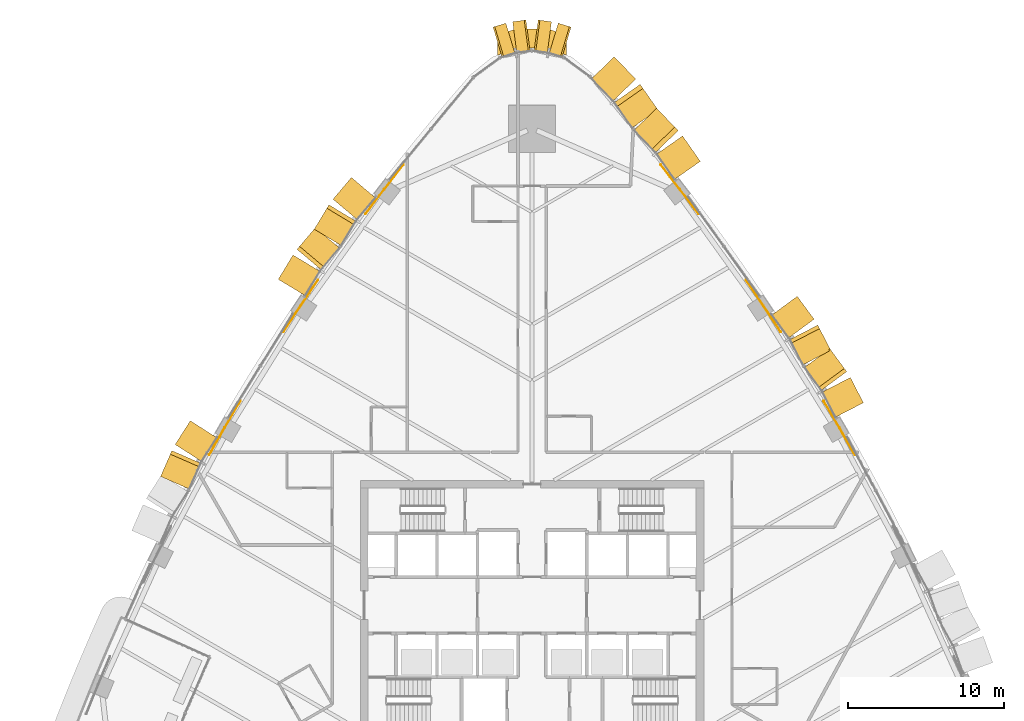
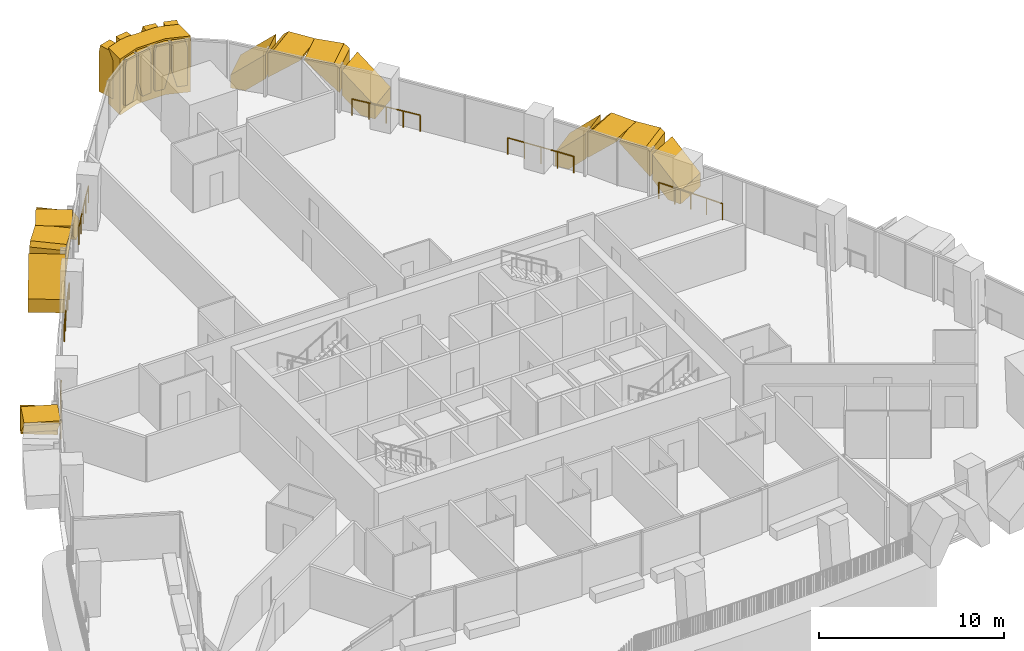
# One storey, part 21 of 22: 19 coverings, 6 railings.
"""IFC4 building model written with IfcOpenShell, lengths in metres."""

from ifc_helpers import new_model, si_unit, direction, frame, origin, origin_2d, place, context, subcontext, project, spatial, polyline, circle, outline, extrude, material, layer, layer_set, type_object, element, save


model = new_model("IFC4")

# Units and contexts
model_context = context("Model", 3, precision=1e-05, world=origin(), true_north=direction((0.0, 1.0)))
body_context = subcontext(model_context, "Body", "Model", "MODEL_VIEW")
ifc_project = project(units=[si_unit("LENGTHUNIT", "METRE"), si_unit("AREAUNIT", "SQUARE_METRE"), si_unit("VOLUMEUNIT", "CUBIC_METRE"), si_unit("PLANEANGLEUNIT", "RADIAN"), si_unit("MASSUNIT", "GRAM", prefix="KILO")], contexts=[model_context])

# Site, building, storey
site_placement = place(None, origin())
site = spatial("IfcSite", under=ifc_project, at=site_placement, CompositionType="ELEMENT")
building_placement = place(site_placement, origin())
building = spatial("IfcBuilding", under=site, at=building_placement, Name="Sierra Prisma Convention Tower", CompositionType="ELEMENT")
storey_placement = place(building_placement, frame((0.0, 0.0, 73.89990234375)))
storey = spatial("IfcBuildingStorey", under=building, at=storey_placement, Name="L14", CompositionType="ELEMENT", Elevation=73.89990234375)

# Coverings
ifc_material_1 = material(Name="Aluminium composite bronze anodised", Category="aluminium")
ifc_layer_1 = layer(ifc_material_1, 1.199951171875)
ifc_layer_set_1 = layer_set([ifc_layer_1], Name="Bronze corner pier")
covering_type_1 = type_object("IfcCoveringType", Name="Bronze corner pier", PredefinedType="CLADDING", material=ifc_layer_set_1)
covering_1_placement = place(storey_placement, frame((0.0, 0.0, -0.599853515625)))
element("IfcCovering", 1, at=covering_1_placement, inside=storey, type_object=covering_type_1, Name="Corner pier N L14.1", PredefinedType="CLADDING", context=body_context, shape_type="SweptSolid", body=[
    extrude(outline(polyline([(-0.883056640625, 36.89501953125), (0.883056640625, 36.89501953125), (1.28271484375, 36.826416015625), (2.199951171875, 36.50244140625), (2.199951171875, 35.22998046875), (0.883056640625, 35.69482421875), (-0.883056640625, 35.69482421875), (-2.199951171875, 35.22998046875), (-2.199951171875, 36.50244140625), (-1.28271484375, 36.826416015625), (-0.883056640625, 36.89501953125)])), origin(), (0.0, 0.0, 1.0), 3.699951171875),
])
ifc_material_2 = material(Name="Aluminium 6063-T6 bronze anodised", Category="aluminium")
ifc_layer_2 = layer(ifc_material_2, 2.0)
ifc_layer_set_2 = layer_set([ifc_layer_2], Name="Bronze crystal chevron frame")
covering_type_2 = type_object("IfcCoveringType", Name="Bronze crystal chevron frame", PredefinedType="CLADDING", material=ifc_layer_set_2)
covering_2_placement = place(storey_placement, frame((21.221923828125, 12.965087890625, 0.0), z_axis=(0.88806997154, 0.459708304928, 5.445309e-06), x_axis=(-0.459708304935, 0.888069971553, -9.3e-11)))
element("IfcCovering", 2, at=covering_2_placement, inside=storey, type_object=covering_type_2, Name="CW-2 chevron frame NE4.1.1", PredefinedType="CLADDING", context=body_context, shape_type="SweptSolid", body=[
    extrude(outline(polyline([(0.0, 0.0), (0.8109816888956303, -2.117582368135751e-22), (1.8221159583297104, 0.9606933595584625), (1.8221159581759854, 2.6159667970339218), (-8.216798985004852e-11, 0.8847656249868827), (0.0, 0.0)])), origin(), (0.0, 0.0, -1.0), 2.0),
])
covering_3_placement = place(storey_placement, frame((20.150146484375, 14.959716796875, 2.739501953125), z_axis=(0.805211270662, 0.592988034912, 7.100641e-06), x_axis=(5.717516e-06, 4.210595e-06, -0.999999999975)))
element("IfcCovering", 3, at=covering_3_placement, inside=storey, type_object=covering_type_2, Name="CW-2 chevron frame NE4.1.2", PredefinedType="CLADDING", context=body_context, shape_type="SweptSolid", body=[
    extrude(outline(polyline([(0.0, 0.0), (1.6552734374582714, -7.01035569138691e-22), (-0.07592773438521061, 1.822237494967303), (-0.24047851563106237, 1.822237494967303), (-0.24047851572281626, 0.25318336242666595), (0.0, 0.0)])), origin(), (0.0, 0.0, -1.0), 2.0),
])
covering_4_placement = place(storey_placement, frame((19.13525390625, 16.321533203125, 2.97998046875), z_axis=(0.887985818148, 0.459870837036, -3.340958e-06), x_axis=(-2.966723e-06, -1.536409e-06, -0.999999999994)))
element("IfcCovering", 4, at=covering_4_placement, inside=storey, type_object=covering_type_2, Name="CW-2 chevron frame NE4.2.1", PredefinedType="CLADDING", context=body_context, shape_type="SweptSolid", body=[
    extrude(outline(polyline([(0.0, 0.0), (0.16455078124908165, 0.0), (1.895751953117104, 1.8220114085982697), (0.24047851562634212, 1.8220114085982697), (-2.031288077491801e-11, 1.568790381306615), (0.0, 0.0)])), origin(), (0.0, 0.0, -1.0), 2.0),
])
covering_5_placement = place(storey_placement, frame((16.982666015625, 19.783203125, 0.0), z_axis=(0.805149156123, 0.593072368486, 4.6174646e-05), x_axis=(-3.7177477e-05, -2.7384907e-05, 0.999999998934)))
element("IfcCovering", 5, at=covering_5_placement, inside=storey, type_object=covering_type_2, Name="CW-2 chevron frame NE4.2.2", PredefinedType="CLADDING", context=body_context, shape_type="SweptSolid", body=[
    extrude(outline(polyline([(0.0, 0.0), (0.8847656240567966, -2.9977025398921723e-21), (2.6159667961345434, 1.8220409155324395), (0.9606933603991462, 1.8220409155324395), (-5.415612067948423e-09, 0.8112108482564269), (0.0, 0.0)])), origin(), (0.0, 0.0, -1.0), 2.0),
])
covering_6_placement = place(storey_placement, frame((10.777587890625, 28.426513671875, 0.0), z_axis=(0.819386796794, 0.573241028908, -3.930446e-06), x_axis=(-0.573241028913, 0.819386796801, -4.4e-11)))
element("IfcCovering", 6, at=covering_6_placement, inside=storey, type_object=covering_type_2, Name="CW-2 chevron frame NE6.1.1", PredefinedType="CLADDING", context=body_context, shape_type="SweptSolid", body=[
    extrude(outline(polyline([(0.0, 0.0), (0.8500731506303207, 2.117582368135751e-22), (1.9846774043067823, 0.9951171875959358), (1.984677404235818, 2.5910644532086082), (-3.7832459292019376e-11, 0.8508300781184279), (0.0, 0.0)])), origin(), (0.0, 0.0, -1.0), 2.0),
])
covering_7_placement = place(storey_placement, frame((9.35791015625, 30.39501953125, 2.705078125), z_axis=(0.719668891888, 0.694317422886, 4.8225521e-05), x_axis=(3.4706407e-05, 3.3483819e-05, -0.999999998837)))
element("IfcCovering", 7, at=covering_7_placement, inside=storey, type_object=covering_type_2, Name="CW-2 chevron frame NE6.1.2", PredefinedType="CLADDING", context=body_context, shape_type="SweptSolid", body=[
    extrude(outline(polyline([(0.0, 0.0), (1.595947263769152, 5.407279664259142e-21), (-0.1442871098465563, 1.9845680082435817), (-0.27490234406967035, 1.9845680082435817), (-0.2749023480851382, 0.3135510739287697), (0.0, 0.0)])), origin(), (0.0, 0.0, -1.0), 2.0),
])
covering_8_placement = place(storey_placement, frame((8.058837890625, 31.727294921875, 2.97998046875), z_axis=(0.819382463638, 0.573247218531, 6.8776272e-05), x_axis=(5.6354071e-05, 3.9425807e-05, -0.999999997635)))
element("IfcCovering", 8, at=covering_8_placement, inside=storey, type_object=covering_type_2, Name="CW-2 chevron frame NE6.2.1", PredefinedType="CLADDING", context=body_context, shape_type="SweptSolid", body=[
    extrude(outline(polyline([(0.0, 0.0), (0.1306152340660835, 8.850832554317396e-22), (1.8708496062506128, 1.9846774042648283), (0.27490234440016814, 1.9846774042648283), (-8.166943745940652e-09, 1.6710251361770974), (0.0, 0.0)])), origin(), (0.0, 0.0, -1.0), 2.0),
])
covering_9_placement = place(storey_placement, frame((5.26123046875, 35.1240234375, 0.0), z_axis=(0.719680318563, 0.694305578937, -4.6143569e-05), x_axis=(3.3208619e-05, 3.2037737e-05, 0.999999998935)))
element("IfcCovering", 9, at=covering_9_placement, inside=storey, type_object=covering_type_2, Name="CW-2 chevron frame NE6.2.2", PredefinedType="CLADDING", context=body_context, shape_type="SweptSolid", body=[
    extrude(outline(polyline([(0.0, 0.0), (0.8508300772191939, 2.8827244347473014e-21), (2.5910644524853472, 1.9845680077566419), (0.9951171885594161, 1.9845680077566419), (-5.209749207881441e-09, 0.8500135415814448), (0.0, 0.0)])), origin(), (0.0, 0.0, -1.0), 2.0),
])
covering_10_placement = place(storey_placement, frame((2.496826171875, 37.026611328125, 0.0), z_axis=(0.286553600091, 0.958064211814, -1.7774395e-05), x_axis=(-0.958064211965, 0.286553600137, -9e-11)))
element("IfcCovering", 10, at=covering_10_placement, inside=storey, type_object=covering_type_2, Name="CW-2 chevron frame N2.1.1", PredefinedType="CLADDING", context=body_context, shape_type="SweptSolid", body=[
    extrude(outline(polyline([(0.0, 0.0), (0.5606185388705114, 0.0), (0.856221220685664, 1.11450195317572), (0.8562212205171698, 2.9799804685060405), (0.10960278917486359, 2.979980469904466), (-2.3182557464314614e-10, 2.5666503902195608), (0.0, 0.0)])), origin(), (0.0, 0.0, -1.0), 2.0),
])
covering_11_placement = place(storey_placement, frame((1.242919921875, 37.365478515625, 2.97998046875), z_axis=(0.133161430135, 0.991094361564, -2.39502e-07), x_axis=(-3.1892e-08, -2.37369e-07, -1.0)))
element("IfcCovering", 11, at=covering_11_placement, inside=storey, type_object=covering_type_2, Name="CW-2 chevron frame N2.1.2", PredefinedType="CLADDING", context=body_context, shape_type="SweptSolid", body=[
    extrude(outline(polyline([(0.0, 0.0), (1.8654785156249465, 0.0), (2.9799804687632188, 0.295593804718947), (2.9799804687515556, 0.856257419108959), (0.41333007812662914, 0.856257419108959), (1.3851457316004672e-11, 0.7466317656167274), (0.0, 0.0)])), origin(), (0.0, 0.0, -1.0), 2.0),
])
covering_12_placement = place(storey_placement, frame((-0.394287109375, 37.4794921875, 0.0), z_axis=(-0.133161430135, 0.991094361564, -2.39502e-07), x_axis=(-0.991094361564, -0.133161430135, -2.1e-11)))
element("IfcCovering", 12, at=covering_12_placement, inside=storey, type_object=covering_type_2, Name="CW-2 chevron frame N3.1.1", PredefinedType="CLADDING", context=body_context, shape_type="SweptSolid", body=[
    extrude(outline(polyline([(0.0, 0.0), (0.560663614390012, -3.308722450212111e-24), (0.8562574190857754, 1.114501953144421), (0.8562574190469698, 2.979980468769368), (0.10962565343024247, 2.979980468739985), (-5.339110505877574e-11, 2.5666503906249267), (0.0, 0.0)])), origin(), (0.0, 0.0, -1.0), 2.0),
])
covering_13_placement = place(storey_placement, frame((-1.676513671875, 37.27197265625, 2.97998046875), z_axis=(-0.286553600091, 0.958064211814, -1.7774395e-05), x_axis=(5.093317e-06, -1.7029012e-05, -0.999999999842)))
element("IfcCovering", 13, at=covering_13_placement, inside=storey, type_object=covering_type_2, Name="CW-2 chevron frame N3.1.2", PredefinedType="CLADDING", context=body_context, shape_type="SweptSolid", body=[
    extrude(outline(polyline([(0.0, 0.0), (1.8654785153303206, 0.0), (2.979980468479341, 0.29560268191581685), (2.979980468428705, 0.8562212207863282), (0.4133300782091443, 0.8562212207863282), (-1.4658612793993697e-09, 0.7466184313423062), (0.0, 0.0)])), origin(), (0.0, 0.0, -1.0), 2.0),
])
covering_14_placement = place(storey_placement, frame((-11.57177734375, 27.393310546875, 0.0), z_axis=(-0.764062255711, 0.645142518546, 1.274963e-05), x_axis=(-0.645142518598, -0.764062255773, -5.09e-10)))
element("IfcCovering", 14, at=covering_14_placement, inside=storey, type_object=covering_type_2, Name="CW-2 chevron frame NW2.1.1", PredefinedType="CLADDING", context=body_context, shape_type="SweptSolid", body=[
    extrude(outline(polyline([(0.0, 0.0), (0.8113133855668779, 0.0), (1.822906904118459, 0.9609375010056317), (1.8229069032763483, 2.6159667977461165), (-4.5006147561673175e-10, 0.8845214843031092), (0.0, 0.0)])), origin(), (0.0, 0.0, -1.0), 2.0),
])
covering_15_placement = place(storey_placement, frame((-13.00634765625, 25.640380859375, 2.7392578125), z_axis=(-0.855582434152, 0.517666589187, 2.8462202e-05), x_axis=(-2.435176e-05, 1.4733931e-05, -0.999999999595)))
element("IfcCovering", 15, at=covering_15_placement, inside=storey, type_object=covering_type_2, Name="CW-2 chevron frame NW2.1.2", PredefinedType="CLADDING", context=body_context, shape_type="SweptSolid", body=[
    extrude(outline(polyline([(0.0, 0.0), (1.655029296204633, -2.8037286862484873e-21), (-0.0764160157890565, 1.8228129784166736), (-0.24072265634750434, 1.8228129784166736), (-0.2407226578213428, 0.25335550789567873), (0.0, 0.0)])), origin(), (0.0, 0.0, -1.0), 2.0),
])
covering_16_placement = place(storey_placement, frame((-13.87744140625, 24.181640625, 2.97998046875), z_axis=(-0.764080432755, 0.645120989065, 4.1828113e-05), x_axis=(-3.1960043e-05, 2.6984194e-05, -0.999999999125)))
element("IfcCovering", 16, at=covering_16_placement, inside=storey, type_object=covering_type_2, Name="CW-2 chevron frame NW2.2.1", PredefinedType="CLADDING", context=body_context, shape_type="SweptSolid", body=[
    extrude(outline(polyline([(0.0, 0.0), (0.1643066404812653, -5.566925522481876e-22), (1.895751951887771, 1.8225628609128122), (0.24072265646058313, 1.8225628609128122), (-3.183093844257858e-09, 1.569109040904027), (0.0, 0.0)])), origin(), (0.0, 0.0, -1.0), 2.0),
])
covering_17_placement = place(storey_placement, frame((-16.25537109375, 20.869384765625, 0.0), z_axis=(-0.855544541267, 0.517729212716, -1.443842e-05), x_axis=(-1.2352711e-05, 7.475192e-06, 0.999999999896)))
element("IfcCovering", 17, at=covering_17_placement, inside=storey, type_object=covering_type_2, Name="CW-2 chevron frame NW2.2.2", PredefinedType="CLADDING", context=body_context, shape_type="SweptSolid", body=[
    extrude(outline(polyline([(0.0, 0.0), (0.8845214842828029, 0.0), (2.615966796802652, 1.8226040998532027), (0.9609375001001623, 1.8226040998532027), (-5.294149718352157e-10, 0.8110233966062002), (0.0, 0.0)])), origin(), (0.0, 0.0, -1.0), 2.0),
])
covering_18_placement = place(storey_placement, frame((-21.88818359375, 11.8134765625, 0.0), z_axis=(-0.842807783055, 0.53821467811, -3.3007923e-05), x_axis=(-0.538214678403, -0.842807783514, -3.439e-09)))
element("IfcCovering", 18, at=covering_18_placement, inside=storey, type_object=covering_type_2, Name="CW-2 chevron frame NW4.1.1", PredefinedType="CLADDING", context=body_context, shape_type="SweptSolid", body=[
    extrude(outline(polyline([(0.0, 0.0), (0.8075610908188471, -3.3881317890172014e-21), (1.8075942502628237, 0.9572753973635559), (1.8075942445494964, 2.6184082089586345), (-3.054833187511582e-09, 0.8881835932661517), (0.0, 0.0)])), origin(), (0.0, 0.0, -1.0), 2.0),
])
covering_19_placement = place(storey_placement, frame((-23.06982421875, 9.89892578125, 2.742919921875), z_axis=(-0.916593180277, 0.399821130778, 7.2481816e-05), x_axis=(-6.6436339e-05, 2.8979762e-05, -0.999999997373)))
element("IfcCovering", 19, at=covering_19_placement, inside=storey, type_object=covering_type_2, Name="CW-2 chevron frame NW4.1.2", PredefinedType="CLADDING", context=body_context, shape_type="SweptSolid", body=[
    extrude(outline(polyline([(0.0, 0.0), (1.661132808136525, 0.0), (-0.06909179793893375, 1.8074882538838328), (-0.2370605474977123, 1.8074882538838328), (-0.23706055710710536, 0.2476462935270906), (0.0, 0.0)])), origin(), (0.0, 0.0, -1.0), 2.0),
])

# Railings
ifc_material_3 = material(Name="Bronze anodised aluminium", Category="aluminium")
railing_type = type_object("IfcRailingType", Name="Facade guard 1100", PredefinedType="GUARDRAIL", material=ifc_material_3)
railing_1_placement = place(storey_placement, frame((20.67138671875, 9.635009765625, 0.0)))
element("IfcRailing", 20, at=railing_1_placement, inside=storey, type_object=railing_type, Name="Facade guard", PredefinedType="GUARDRAIL", context=body_context, shape_type="SweptSolid", body=[
    extrude(circle(Radius=0.02392578125, at=origin_2d()), frame((0.0, 0.0, 1.076171875), z_axis=(-0.49324073572, 0.869892853532, 0.0), x_axis=(-0.869892853532, -0.49324073572, 0.0)), (0.0, 0.0, 1.0), 0.998779296875),
    extrude(circle(Radius=0.02392578125, at=origin_2d()), frame((-0.49267578125, 0.868896484375, 1.076171875), z_axis=(-0.494182241974, 0.869358333323, 0.0), x_axis=(-0.869358333323, -0.494182241974, 0.0)), (0.0, 0.0, 1.0), 0.994873046875),
    extrude(circle(Radius=0.02392578125, at=origin_2d()), frame((-0.984375, 1.73388671875, 1.076171875), z_axis=(-0.50592010472, 0.862580342716, 0.0), x_axis=(-0.862580342716, -0.50592010472, 0.0)), (0.0, 0.0, 1.0), 0.99951171875),
    extrude(circle(Radius=0.02392578125, at=origin_2d()), frame((-1.489990234375, 2.595947265625, 1.076171875), z_axis=(-0.506784040571, 0.862073045758, 0.0), x_axis=(-0.862073045758, -0.506784040571, 0.0)), (0.0, 0.0, 1.0), 0.994384765625),
    extrude(circle(Radius=0.02099609375, at=origin_2d()), origin(), (0.0, 0.0, 1.0), 1.052001953125),
    extrude(circle(Radius=0.02099609375, at=origin_2d()), frame((-0.49267578125, 0.868896484375, 0.0)), (0.0, 0.0, 1.0), 1.052001953125),
    extrude(circle(Radius=0.02099609375, at=origin_2d()), frame((-0.984375, 1.73388671875, 0.0)), (0.0, 0.0, 1.0), 1.052001953125),
    extrude(circle(Radius=0.02099609375, at=origin_2d()), frame((-1.489990234375, 2.595947265625, 0.0)), (0.0, 0.0, 1.0), 1.052001953125),
    extrude(circle(Radius=0.02099609375, at=origin_2d()), frame((-1.993896484375, 3.453125, 0.0)), (0.0, 0.0, 1.0), 1.052001953125),
])
railing_2_placement = place(storey_placement, frame((15.92626953125, 17.50439453125, 0.0)))
element("IfcRailing", 21, at=railing_2_placement, inside=storey, type_object=railing_type, Name="Facade guard", PredefinedType="GUARDRAIL", context=body_context, shape_type="SweptSolid", body=[
    extrude(circle(Radius=0.02392578125, at=origin_2d()), frame((0.0, 0.0, 1.076171875), z_axis=(-0.546455059627, 0.837488428462, 0.0), x_axis=(-0.837488428462, -0.546455059627, 0.0)), (0.0, 0.0, 1.0), 0.994140625),
    extrude(circle(Radius=0.02392578125, at=origin_2d()), frame((-0.543212890625, 0.83251953125, 1.076171875), z_axis=(-0.553854960782, 0.832613164931, 0.0), x_axis=(-0.832613164931, -0.553854960782, 0.0)), (0.0, 0.0, 1.0), 1.000244140625),
    extrude(circle(Radius=0.02392578125, at=origin_2d()), frame((-1.09716796875, 1.665283203125, 1.076171875), z_axis=(-0.558603826886, 0.829434605372, 0.0), x_axis=(-0.829434605372, -0.558603826886, 0.0)), (0.0, 0.0, 1.0), 0.994384765625),
    extrude(circle(Radius=0.02392578125, at=origin_2d()), frame((-1.652587890625, 2.489990234375, 1.076171875), z_axis=(-0.565637468076, 0.824654021217, 0.0), x_axis=(-0.824654021217, -0.565637468076, 0.0)), (0.0, 0.0, 1.0), 1.0),
    extrude(circle(Radius=0.02099609375, at=origin_2d()), origin(), (0.0, 0.0, 1.0), 1.052001953125),
    extrude(circle(Radius=0.02099609375, at=origin_2d()), frame((-0.543212890625, 0.83251953125, 0.0)), (0.0, 0.0, 1.0), 1.052001953125),
    extrude(circle(Radius=0.02099609375, at=origin_2d()), frame((-1.09716796875, 1.665283203125, 0.0)), (0.0, 0.0, 1.0), 1.052001953125),
    extrude(circle(Radius=0.02099609375, at=origin_2d()), frame((-1.652587890625, 2.489990234375, 0.0)), (0.0, 0.0, 1.0), 1.052001953125),
    extrude(circle(Radius=0.02099609375, at=origin_2d()), frame((-2.21826171875, 3.314697265625, 0.0)), (0.0, 0.0, 1.0), 1.052001953125),
])
railing_3_placement = place(storey_placement, frame((10.67041015625, 25.047607421875, 0.0)))
element("IfcRailing", 22, at=railing_3_placement, inside=storey, type_object=railing_type, Name="Facade guard", PredefinedType="GUARDRAIL", context=body_context, shape_type="SweptSolid", body=[
    extrude(circle(Radius=0.02392578125, at=origin_2d()), frame((0.0, 0.0, 1.076171875), z_axis=(-0.600312438946, 0.799765575432, 0.0), x_axis=(-0.799765575432, -0.600312438946, 0.0)), (0.0, 0.0, 1.0), 1.0),
    extrude(circle(Radius=0.02392578125, at=origin_2d()), frame((-0.600341796875, 0.7998046875, 1.076171875), z_axis=(-0.608178937777, 0.793799961983, 0.0), x_axis=(-0.793799961983, -0.608178937777, 0.0)), (0.0, 0.0, 1.0), 0.994384765625),
    extrude(circle(Radius=0.02392578125, at=origin_2d()), frame((-1.205078125, 1.589111328125, 1.076171875), z_axis=(-0.611655959625, 0.791123875923, 0.0), x_axis=(-0.791123875923, -0.611655959625, 0.0)), (0.0, 0.0, 1.0), 0.999755859375),
    extrude(circle(Radius=0.02392578125, at=origin_2d()), frame((-1.816650390625, 2.380126953125, 1.076171875), z_axis=(-0.619771665431, 0.784782188081, 0.0), x_axis=(-0.784782188081, -0.619771665431, 0.0)), (0.0, 0.0, 1.0), 0.994140625),
    extrude(circle(Radius=0.02099609375, at=origin_2d()), origin(), (0.0, 0.0, 1.0), 1.052001953125),
    extrude(circle(Radius=0.02099609375, at=origin_2d()), frame((-0.600341796875, 0.7998046875, 0.0)), (0.0, 0.0, 1.0), 1.052001953125),
    extrude(circle(Radius=0.02099609375, at=origin_2d()), frame((-1.205078125, 1.589111328125, 0.0)), (0.0, 0.0, 1.0), 1.052001953125),
    extrude(circle(Radius=0.02099609375, at=origin_2d()), frame((-1.816650390625, 2.380126953125, 0.0)), (0.0, 0.0, 1.0), 1.052001953125),
    extrude(circle(Radius=0.02099609375, at=origin_2d()), frame((-2.432861328125, 3.160400390625, 0.0)), (0.0, 0.0, 1.0), 1.052001953125),
])
railing_4_placement = place(storey_placement, frame((-8.237548828125, 28.2080078125, 0.0)))
element("IfcRailing", 23, at=railing_4_placement, inside=storey, type_object=railing_type, Name="Facade guard", PredefinedType="GUARDRAIL", context=body_context, shape_type="SweptSolid", body=[
    extrude(circle(Radius=0.02392578125, at=origin_2d()), frame((0.0, 0.0, 1.076171875), z_axis=(-0.619771665431, -0.784782188081, 0.0), x_axis=(0.784782188081, -0.619771665431, 0.0)), (0.0, 0.0, 1.0), 0.994140625),
    extrude(circle(Radius=0.02392578125, at=origin_2d()), frame((-0.6162109375, -0.7802734375, 1.076171875), z_axis=(-0.611655959625, -0.791123875923, 0.0), x_axis=(0.791123875923, -0.611655959625, 0.0)), (0.0, 0.0, 1.0), 0.999755859375),
    extrude(circle(Radius=0.02392578125, at=origin_2d()), frame((-1.227783203125, -1.5712890625, 1.076171875), z_axis=(-0.608178937777, -0.793799961983, 0.0), x_axis=(0.793799961983, -0.608178937777, 0.0)), (0.0, 0.0, 1.0), 0.994384765625),
    extrude(circle(Radius=0.02392578125, at=origin_2d()), frame((-1.83251953125, -2.360595703125, 1.076171875), z_axis=(-0.600312438946, -0.799765575432, 0.0), x_axis=(0.799765575432, -0.600312438946, 0.0)), (0.0, 0.0, 1.0), 1.0),
    extrude(circle(Radius=0.02099609375, at=origin_2d()), origin(), (0.0, 0.0, 1.0), 1.052001953125),
    extrude(circle(Radius=0.02099609375, at=origin_2d()), frame((-0.6162109375, -0.7802734375, 0.0)), (0.0, 0.0, 1.0), 1.052001953125),
    extrude(circle(Radius=0.02099609375, at=origin_2d()), frame((-1.227783203125, -1.5712890625, 0.0)), (0.0, 0.0, 1.0), 1.052001953125),
    extrude(circle(Radius=0.02099609375, at=origin_2d()), frame((-1.83251953125, -2.360595703125, 0.0)), (0.0, 0.0, 1.0), 1.052001953125),
    extrude(circle(Radius=0.02099609375, at=origin_2d()), frame((-2.432861328125, -3.160400390625, 0.0)), (0.0, 0.0, 1.0), 1.052001953125),
])
railing_5_placement = place(storey_placement, frame((-13.7080078125, 20.819091796875, 0.0)))
element("IfcRailing", 24, at=railing_5_placement, inside=storey, type_object=railing_type, Name="Facade guard", PredefinedType="GUARDRAIL", context=body_context, shape_type="SweptSolid", body=[
    extrude(circle(Radius=0.02392578125, at=origin_2d()), frame((0.0, 0.0, 1.076171875), z_axis=(-0.565637468076, -0.824654021217, 0.0), x_axis=(0.824654021217, -0.565637468076, 0.0)), (0.0, 0.0, 1.0), 1.0),
    extrude(circle(Radius=0.02392578125, at=origin_2d()), frame((-0.565673828125, -0.82470703125, 1.076171875), z_axis=(-0.558603826886, -0.829434605372, 0.0), x_axis=(0.829434605372, -0.558603826886, 0.0)), (0.0, 0.0, 1.0), 0.994384765625),
    extrude(circle(Radius=0.02392578125, at=origin_2d()), frame((-1.12109375, -1.6494140625, 1.076171875), z_axis=(-0.553854960782, -0.832613164931, 0.0), x_axis=(0.832613164931, -0.553854960782, 0.0)), (0.0, 0.0, 1.0), 1.000244140625),
    extrude(circle(Radius=0.02392578125, at=origin_2d()), frame((-1.675048828125, -2.482177734375, 1.076171875), z_axis=(-0.546455059627, -0.837488428462, 0.0), x_axis=(0.837488428462, -0.546455059627, 0.0)), (0.0, 0.0, 1.0), 0.994140625),
    extrude(circle(Radius=0.02099609375, at=origin_2d()), origin(), (0.0, 0.0, 1.0), 1.052001953125),
    extrude(circle(Radius=0.02099609375, at=origin_2d()), frame((-0.565673828125, -0.82470703125, 0.0)), (0.0, 0.0, 1.0), 1.052001953125),
    extrude(circle(Radius=0.02099609375, at=origin_2d()), frame((-1.12109375, -1.6494140625, 0.0)), (0.0, 0.0, 1.0), 1.052001953125),
    extrude(circle(Radius=0.02099609375, at=origin_2d()), frame((-1.675048828125, -2.482177734375, 0.0)), (0.0, 0.0, 1.0), 1.052001953125),
    extrude(circle(Radius=0.02099609375, at=origin_2d()), frame((-2.21826171875, -3.314697265625, 0.0)), (0.0, 0.0, 1.0), 1.052001953125),
])
railing_6_placement = place(storey_placement, frame((-18.677490234375, 13.088134765625, 0.0)))
element("IfcRailing", 25, at=railing_6_placement, inside=storey, type_object=railing_type, Name="Facade guard", PredefinedType="GUARDRAIL", context=body_context, shape_type="SweptSolid", body=[
    extrude(circle(Radius=0.02392578125, at=origin_2d()), frame((0.0, 0.0, 1.076171875), z_axis=(-0.506784040571, -0.862073045758, 0.0), x_axis=(0.862073045758, -0.506784040571, 0.0)), (0.0, 0.0, 1.0), 0.994384765625),
    extrude(circle(Radius=0.02392578125, at=origin_2d()), frame((-0.50390625, -0.857177734375, 1.076171875), z_axis=(-0.50592010472, -0.862580342716, 0.0), x_axis=(0.862580342716, -0.50592010472, 0.0)), (0.0, 0.0, 1.0), 0.99951171875),
    extrude(circle(Radius=0.02392578125, at=origin_2d()), frame((-1.009521484375, -1.71923828125, 1.076171875), z_axis=(-0.494182241974, -0.869358333323, 0.0), x_axis=(0.869358333323, -0.494182241974, 0.0)), (0.0, 0.0, 1.0), 0.994873046875),
    extrude(circle(Radius=0.02392578125, at=origin_2d()), frame((-1.501220703125, -2.584228515625, 1.076171875), z_axis=(-0.49324073572, -0.869892853532, 0.0), x_axis=(0.869892853532, -0.49324073572, 0.0)), (0.0, 0.0, 1.0), 0.998779296875),
    extrude(circle(Radius=0.02099609375, at=origin_2d()), origin(), (0.0, 0.0, 1.0), 1.052001953125),
    extrude(circle(Radius=0.02099609375, at=origin_2d()), frame((-0.50390625, -0.857177734375, 0.0)), (0.0, 0.0, 1.0), 1.052001953125),
    extrude(circle(Radius=0.02099609375, at=origin_2d()), frame((-1.009521484375, -1.71923828125, 0.0)), (0.0, 0.0, 1.0), 1.052001953125),
    extrude(circle(Radius=0.02099609375, at=origin_2d()), frame((-1.501220703125, -2.584228515625, 0.0)), (0.0, 0.0, 1.0), 1.052001953125),
    extrude(circle(Radius=0.02099609375, at=origin_2d()), frame((-1.993896484375, -3.453125, 0.0)), (0.0, 0.0, 1.0), 1.052001953125),
])

save(model, "model.ifc")
